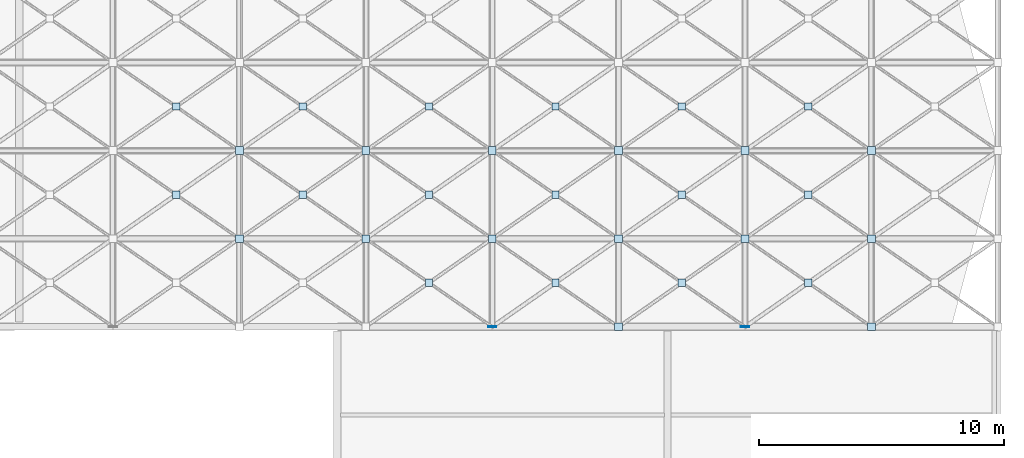
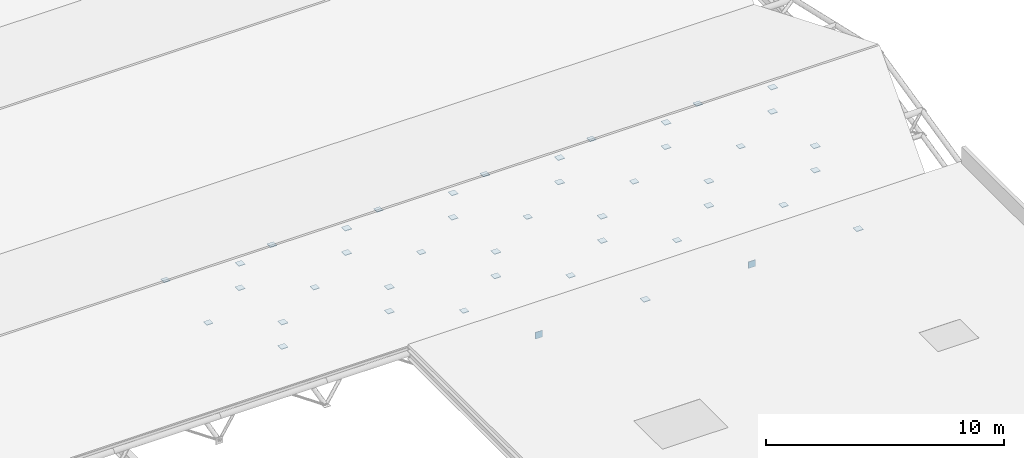
# One storey, part 93 of 110: 44 plates.
"""IFC4 building model written with IfcOpenShell, lengths in metres."""

from ifc_helpers import new_model, si_unit, direction, frame, origin, origin_2d, place, context, subcontext, project, spatial, rectangle, extrude, material, layer, layer_set, type_object, element, save


model = new_model("IFC4")

# Units and contexts
model_context = context("Model", 3, precision=1e-05, world=origin(), true_north=direction((0.0, 1.0)))
body_context = subcontext(model_context, "Body", "Model", "MODEL_VIEW")
ifc_project = project(units=[si_unit("LENGTHUNIT", "METRE"), si_unit("AREAUNIT", "SQUARE_METRE"), si_unit("VOLUMEUNIT", "CUBIC_METRE"), si_unit("PLANEANGLEUNIT", "RADIAN"), si_unit("MASSUNIT", "GRAM", prefix="KILO")], contexts=[model_context])

# Site, building, storey
site_placement = place(None, origin())
site = spatial("IfcSite", under=ifc_project, at=site_placement, CompositionType="ELEMENT")
building_placement = place(site_placement, origin())
building = spatial("IfcBuilding", under=site, at=building_placement, Name="Tamarisk Ironworks Central Station", CompositionType="ELEMENT")
storey_placement = place(building_placement, frame((0.0, 0.0, 17.39990234375)))
storey = spatial("IfcBuildingStorey", under=building, at=storey_placement, Name="L03", CompositionType="ELEMENT", Elevation=17.39990234375)

# Plates
ifc_material_1 = material(Name="Painted structural steel S355J2", Category="steel")
ifc_layer_1 = layer(ifc_material_1, 0.01611328125)
ifc_layer_set_1 = layer_set([ifc_layer_1], Name="Painted structural steel S355J2")
plate_type_1 = type_object("IfcPlateType", Name="PL-EC16", PredefinedType="SHEET", material=ifc_layer_set_1)
for number, where, z_axis, x_axis, name in (
    (1, (159.333251953125, 21.60009765625, -1.89013671875), (0.0, 0.0, 1.0), (1.0, 0.0, 0.0), "Hollow section welded end-cap plate 43"),
    (2, (169.666748046875, 21.60009765625, -1.89013671875), (0.0, 0.0, 1.0), (1.0, 0.0, 0.0), "Hollow section welded end-cap plate 44"),
):
    element("IfcPlate", number, at=place(storey_placement, frame(where, z_axis=z_axis, x_axis=x_axis)), inside=storey, type_object=plate_type_1, Name=name, PredefinedType="SHEET", context=body_context, shape_type="SweptSolid", body=[
        extrude(rectangle(XDim=0.340087890625, YDim=0.02392578125, at=origin_2d()), origin(), (0.0, 0.0, 1.0), 0.340087890625),
    ])
ifc_material_2 = material(Name="Structural steel S355J2H", Category="steel")
ifc_layer_2 = layer(ifc_material_2, 0.02587890625)
ifc_layer_set_2 = layer_set([ifc_layer_2], Name="Structural steel S355J2H")
plate_type_2 = type_object("IfcPlateType", Name="PL-ND26", PredefinedType="SHEET", material=ifc_layer_set_2)
plate_1_placement = place(storey_placement, frame((149.0, 25.199951171875, 0.342041015625), z_axis=(0.0, 0.0, 1.0), x_axis=(1.0, 0.0, 0.0)))
element("IfcPlate", 3, at=plate_1_placement, inside=storey, type_object=plate_type_2, Name="Space-frame collector node plate 0575", PredefinedType="SHEET", context=body_context, shape_type="SweptSolid", body=[
    extrude(rectangle(XDim=0.320068359375, YDim=0.320068359375, at=origin_2d()), origin(), (0.0, 0.0, 1.0), 0.02587890625),
])
plate_2_placement = place(storey_placement, frame((146.416748046875, 27.0, 0.129638671875), z_axis=(0.0, 0.0, 1.0), x_axis=(1.0, 0.0, 0.0)))
element("IfcPlate", 4, at=plate_2_placement, inside=storey, type_object=plate_type_2, Name="Space-frame X-brace crossing gusset plate 0576", PredefinedType="SHEET", context=body_context, shape_type="SweptSolid", body=[
    extrude(rectangle(XDim=0.300048828125, YDim=0.300048828125, at=origin_2d()), origin(), (0.0, 0.0, 1.0), 0.02587890625),
])
for number, where, z_axis, x_axis, name in (
    (5, (149.0, 25.199951171875, -0.907958984375), (0.0, 0.0, 1.0), (1.0, 0.0, 0.0), "Space-frame collector node plate 0577"),
    (6, (149.0, 28.800048828125, 1.167236328125), (0.0, 0.0, 1.0), (1.0, 0.0, 0.0), "Space-frame collector node plate 0578"),
):
    element("IfcPlate", number, at=place(storey_placement, frame(where, z_axis=z_axis, x_axis=x_axis)), inside=storey, type_object=plate_type_2, Name=name, PredefinedType="SHEET", context=body_context, shape_type="SweptSolid", body=[
        extrude(rectangle(XDim=0.320068359375, YDim=0.320068359375, at=origin_2d()), origin(), (0.0, 0.0, 1.0), 0.02587890625),
    ])
plate_3_placement = place(storey_placement, frame((146.416748046875, 30.60009765625, 0.129638671875), z_axis=(0.0, 0.0, 1.0), x_axis=(1.0, 0.0, 0.0)))
element("IfcPlate", 7, at=plate_3_placement, inside=storey, type_object=plate_type_2, Name="Space-frame X-brace crossing gusset plate 0579", PredefinedType="SHEET", context=body_context, shape_type="SweptSolid", body=[
    extrude(rectangle(XDim=0.300048828125, YDim=0.300048828125, at=origin_2d()), origin(), (0.0, 0.0, 1.0), 0.02587890625),
])
for number, where, z_axis, x_axis, name in (
    (8, (149.0, 28.800048828125, -0.082763671875), (0.0, 0.0, 1.0), (1.0, 0.0, 0.0), "Space-frame collector node plate 0580"),
    (9, (154.166748046875, 25.199951171875, 0.342041015625), (0.0, 0.0, 1.0), (1.0, 0.0, 0.0), "Space-frame collector node plate 0587"),
):
    element("IfcPlate", number, at=place(storey_placement, frame(where, z_axis=z_axis, x_axis=x_axis)), inside=storey, type_object=plate_type_2, Name=name, PredefinedType="SHEET", context=body_context, shape_type="SweptSolid", body=[
        extrude(rectangle(XDim=0.320068359375, YDim=0.320068359375, at=origin_2d()), origin(), (0.0, 0.0, 1.0), 0.02587890625),
    ])
plate_4_placement = place(storey_placement, frame((151.583251953125, 27.0, 0.129638671875), z_axis=(0.0, 0.0, 1.0), x_axis=(1.0, 0.0, 0.0)))
element("IfcPlate", 10, at=plate_4_placement, inside=storey, type_object=plate_type_2, Name="Space-frame X-brace crossing gusset plate 0588", PredefinedType="SHEET", context=body_context, shape_type="SweptSolid", body=[
    extrude(rectangle(XDim=0.300048828125, YDim=0.300048828125, at=origin_2d()), origin(), (0.0, 0.0, 1.0), 0.02587890625),
])
for number, where, z_axis, x_axis, name in (
    (11, (154.166748046875, 25.199951171875, -0.907958984375), (0.0, 0.0, 1.0), (1.0, 0.0, 0.0), "Space-frame collector node plate 0589"),
    (12, (154.166748046875, 28.800048828125, 1.167236328125), (0.0, 0.0, 1.0), (1.0, 0.0, 0.0), "Space-frame collector node plate 0590"),
):
    element("IfcPlate", number, at=place(storey_placement, frame(where, z_axis=z_axis, x_axis=x_axis)), inside=storey, type_object=plate_type_2, Name=name, PredefinedType="SHEET", context=body_context, shape_type="SweptSolid", body=[
        extrude(rectangle(XDim=0.320068359375, YDim=0.320068359375, at=origin_2d()), origin(), (0.0, 0.0, 1.0), 0.02587890625),
    ])
plate_5_placement = place(storey_placement, frame((151.583251953125, 30.60009765625, 0.129638671875), z_axis=(0.0, 0.0, 1.0), x_axis=(1.0, 0.0, 0.0)))
element("IfcPlate", 13, at=plate_5_placement, inside=storey, type_object=plate_type_2, Name="Space-frame X-brace crossing gusset plate 0591", PredefinedType="SHEET", context=body_context, shape_type="SweptSolid", body=[
    extrude(rectangle(XDim=0.300048828125, YDim=0.300048828125, at=origin_2d()), origin(), (0.0, 0.0, 1.0), 0.02587890625),
])
plate_6_placement = place(storey_placement, frame((154.166748046875, 28.800048828125, -0.082763671875), z_axis=(0.0, 0.0, 1.0), x_axis=(1.0, 0.0, 0.0)))
element("IfcPlate", 14, at=plate_6_placement, inside=storey, type_object=plate_type_2, Name="Space-frame collector node plate 0592", PredefinedType="SHEET", context=body_context, shape_type="SweptSolid", body=[
    extrude(rectangle(XDim=0.320068359375, YDim=0.320068359375, at=origin_2d()), origin(), (0.0, 0.0, 1.0), 0.02587890625),
])
plate_7_placement = place(storey_placement, frame((156.75, 23.39990234375, -0.6953125), z_axis=(0.0, 0.0, 1.0), x_axis=(1.0, 0.0, 0.0)))
element("IfcPlate", 15, at=plate_7_placement, inside=storey, type_object=plate_type_2, Name="Space-frame X-brace crossing gusset plate 0597", PredefinedType="SHEET", context=body_context, shape_type="SweptSolid", body=[
    extrude(rectangle(XDim=0.300048828125, YDim=0.300048828125, at=origin_2d()), origin(), (0.0, 0.0, 1.0), 0.02587890625),
])
plate_8_placement = place(storey_placement, frame((159.333251953125, 25.199951171875, 0.342041015625), z_axis=(0.0, 0.0, 1.0), x_axis=(1.0, 0.0, 0.0)))
element("IfcPlate", 16, at=plate_8_placement, inside=storey, type_object=plate_type_2, Name="Space-frame collector node plate 0598", PredefinedType="SHEET", context=body_context, shape_type="SweptSolid", body=[
    extrude(rectangle(XDim=0.320068359375, YDim=0.320068359375, at=origin_2d()), origin(), (0.0, 0.0, 1.0), 0.02587890625),
])
plate_9_placement = place(storey_placement, frame((156.75, 27.0, 0.129638671875), z_axis=(0.0, 0.0, 1.0), x_axis=(1.0, 0.0, 0.0)))
element("IfcPlate", 17, at=plate_9_placement, inside=storey, type_object=plate_type_2, Name="Space-frame X-brace crossing gusset plate 0599", PredefinedType="SHEET", context=body_context, shape_type="SweptSolid", body=[
    extrude(rectangle(XDim=0.300048828125, YDim=0.300048828125, at=origin_2d()), origin(), (0.0, 0.0, 1.0), 0.02587890625),
])
for number, where, z_axis, x_axis, name in (
    (18, (159.333251953125, 25.199951171875, -0.907958984375), (0.0, 0.0, 1.0), (1.0, 0.0, 0.0), "Space-frame collector node plate 0600"),
    (19, (159.333251953125, 28.800048828125, 1.167236328125), (0.0, 0.0, 1.0), (1.0, 0.0, 0.0), "Space-frame collector node plate 0601"),
):
    element("IfcPlate", number, at=place(storey_placement, frame(where, z_axis=z_axis, x_axis=x_axis)), inside=storey, type_object=plate_type_2, Name=name, PredefinedType="SHEET", context=body_context, shape_type="SweptSolid", body=[
        extrude(rectangle(XDim=0.320068359375, YDim=0.320068359375, at=origin_2d()), origin(), (0.0, 0.0, 1.0), 0.02587890625),
    ])
plate_10_placement = place(storey_placement, frame((156.75, 30.60009765625, 0.129638671875), z_axis=(0.0, 0.0, 1.0), x_axis=(1.0, 0.0, 0.0)))
element("IfcPlate", 20, at=plate_10_placement, inside=storey, type_object=plate_type_2, Name="Space-frame X-brace crossing gusset plate 0602", PredefinedType="SHEET", context=body_context, shape_type="SweptSolid", body=[
    extrude(rectangle(XDim=0.300048828125, YDim=0.300048828125, at=origin_2d()), origin(), (0.0, 0.0, 1.0), 0.02587890625),
])
plate_11_placement = place(storey_placement, frame((159.333251953125, 28.800048828125, -0.082763671875), z_axis=(0.0, 0.0, 1.0), x_axis=(1.0, 0.0, 0.0)))
element("IfcPlate", 21, at=plate_11_placement, inside=storey, type_object=plate_type_2, Name="Space-frame collector node plate 0603", PredefinedType="SHEET", context=body_context, shape_type="SweptSolid", body=[
    extrude(rectangle(XDim=0.320068359375, YDim=0.320068359375, at=origin_2d()), origin(), (0.0, 0.0, 1.0), 0.02587890625),
])
plate_12_placement = place(storey_placement, frame((161.916748046875, 23.39990234375, -0.6953125), z_axis=(0.0, 0.0, 1.0), x_axis=(1.0, 0.0, 0.0)))
element("IfcPlate", 22, at=plate_12_placement, inside=storey, type_object=plate_type_2, Name="Space-frame X-brace crossing gusset plate 0608", PredefinedType="SHEET", context=body_context, shape_type="SweptSolid", body=[
    extrude(rectangle(XDim=0.300048828125, YDim=0.300048828125, at=origin_2d()), origin(), (0.0, 0.0, 1.0), 0.02587890625),
])
for number, where, z_axis, x_axis, name in (
    (23, (164.5, 21.60009765625, -1.73291015625), (0.0, 0.0, 1.0), (1.0, 0.0, 0.0), "Space-frame collector node plate 0609"),
    (24, (164.5, 25.199951171875, 0.342041015625), (0.0, 0.0, 1.0), (1.0, 0.0, 0.0), "Space-frame collector node plate 0610"),
):
    element("IfcPlate", number, at=place(storey_placement, frame(where, z_axis=z_axis, x_axis=x_axis)), inside=storey, type_object=plate_type_2, Name=name, PredefinedType="SHEET", context=body_context, shape_type="SweptSolid", body=[
        extrude(rectangle(XDim=0.320068359375, YDim=0.320068359375, at=origin_2d()), origin(), (0.0, 0.0, 1.0), 0.02587890625),
    ])
plate_13_placement = place(storey_placement, frame((161.916748046875, 27.0, 0.129638671875), z_axis=(0.0, 0.0, 1.0), x_axis=(1.0, 0.0, 0.0)))
element("IfcPlate", 25, at=plate_13_placement, inside=storey, type_object=plate_type_2, Name="Space-frame X-brace crossing gusset plate 0611", PredefinedType="SHEET", context=body_context, shape_type="SweptSolid", body=[
    extrude(rectangle(XDim=0.300048828125, YDim=0.300048828125, at=origin_2d()), origin(), (0.0, 0.0, 1.0), 0.02587890625),
])
for number, where, z_axis, x_axis, name in (
    (26, (164.5, 25.199951171875, -0.907958984375), (0.0, 0.0, 1.0), (1.0, 0.0, 0.0), "Space-frame collector node plate 0612"),
    (27, (164.5, 28.800048828125, 1.167236328125), (0.0, 0.0, 1.0), (1.0, 0.0, 0.0), "Space-frame collector node plate 0613"),
):
    element("IfcPlate", number, at=place(storey_placement, frame(where, z_axis=z_axis, x_axis=x_axis)), inside=storey, type_object=plate_type_2, Name=name, PredefinedType="SHEET", context=body_context, shape_type="SweptSolid", body=[
        extrude(rectangle(XDim=0.320068359375, YDim=0.320068359375, at=origin_2d()), origin(), (0.0, 0.0, 1.0), 0.02587890625),
    ])
plate_14_placement = place(storey_placement, frame((161.916748046875, 30.60009765625, 0.129638671875), z_axis=(0.0, 0.0, 1.0), x_axis=(1.0, 0.0, 0.0)))
element("IfcPlate", 28, at=plate_14_placement, inside=storey, type_object=plate_type_2, Name="Space-frame X-brace crossing gusset plate 0614", PredefinedType="SHEET", context=body_context, shape_type="SweptSolid", body=[
    extrude(rectangle(XDim=0.300048828125, YDim=0.300048828125, at=origin_2d()), origin(), (0.0, 0.0, 1.0), 0.02587890625),
])
plate_15_placement = place(storey_placement, frame((164.5, 28.800048828125, -0.082763671875), z_axis=(0.0, 0.0, 1.0), x_axis=(1.0, 0.0, 0.0)))
element("IfcPlate", 29, at=plate_15_placement, inside=storey, type_object=plate_type_2, Name="Space-frame collector node plate 0615", PredefinedType="SHEET", context=body_context, shape_type="SweptSolid", body=[
    extrude(rectangle(XDim=0.320068359375, YDim=0.320068359375, at=origin_2d()), origin(), (0.0, 0.0, 1.0), 0.02587890625),
])
plate_16_placement = place(storey_placement, frame((167.083251953125, 23.39990234375, -0.6953125), z_axis=(0.0, 0.0, 1.0), x_axis=(1.0, 0.0, 0.0)))
element("IfcPlate", 30, at=plate_16_placement, inside=storey, type_object=plate_type_2, Name="Space-frame X-brace crossing gusset plate 0620", PredefinedType="SHEET", context=body_context, shape_type="SweptSolid", body=[
    extrude(rectangle(XDim=0.300048828125, YDim=0.300048828125, at=origin_2d()), origin(), (0.0, 0.0, 1.0), 0.02587890625),
])
plate_17_placement = place(storey_placement, frame((169.666748046875, 25.199951171875, 0.342041015625), z_axis=(0.0, 0.0, 1.0), x_axis=(1.0, 0.0, 0.0)))
element("IfcPlate", 31, at=plate_17_placement, inside=storey, type_object=plate_type_2, Name="Space-frame collector node plate 0621", PredefinedType="SHEET", context=body_context, shape_type="SweptSolid", body=[
    extrude(rectangle(XDim=0.320068359375, YDim=0.320068359375, at=origin_2d()), origin(), (0.0, 0.0, 1.0), 0.02587890625),
])
plate_18_placement = place(storey_placement, frame((167.083251953125, 27.0, 0.129638671875), z_axis=(0.0, 0.0, 1.0), x_axis=(1.0, 0.0, 0.0)))
element("IfcPlate", 32, at=plate_18_placement, inside=storey, type_object=plate_type_2, Name="Space-frame X-brace crossing gusset plate 0622", PredefinedType="SHEET", context=body_context, shape_type="SweptSolid", body=[
    extrude(rectangle(XDim=0.300048828125, YDim=0.300048828125, at=origin_2d()), origin(), (0.0, 0.0, 1.0), 0.02587890625),
])
for number, where, z_axis, x_axis, name in (
    (33, (169.666748046875, 25.199951171875, -0.907958984375), (0.0, 0.0, 1.0), (1.0, 0.0, 0.0), "Space-frame collector node plate 0623"),
    (34, (169.666748046875, 28.800048828125, 1.167236328125), (0.0, 0.0, 1.0), (1.0, 0.0, 0.0), "Space-frame collector node plate 0624"),
):
    element("IfcPlate", number, at=place(storey_placement, frame(where, z_axis=z_axis, x_axis=x_axis)), inside=storey, type_object=plate_type_2, Name=name, PredefinedType="SHEET", context=body_context, shape_type="SweptSolid", body=[
        extrude(rectangle(XDim=0.320068359375, YDim=0.320068359375, at=origin_2d()), origin(), (0.0, 0.0, 1.0), 0.02587890625),
    ])
plate_19_placement = place(storey_placement, frame((167.083251953125, 30.60009765625, 0.129638671875), z_axis=(0.0, 0.0, 1.0), x_axis=(1.0, 0.0, 0.0)))
element("IfcPlate", 35, at=plate_19_placement, inside=storey, type_object=plate_type_2, Name="Space-frame X-brace crossing gusset plate 0625", PredefinedType="SHEET", context=body_context, shape_type="SweptSolid", body=[
    extrude(rectangle(XDim=0.300048828125, YDim=0.300048828125, at=origin_2d()), origin(), (0.0, 0.0, 1.0), 0.02587890625),
])
plate_20_placement = place(storey_placement, frame((169.666748046875, 28.800048828125, -0.082763671875), z_axis=(0.0, 0.0, 1.0), x_axis=(1.0, 0.0, 0.0)))
element("IfcPlate", 36, at=plate_20_placement, inside=storey, type_object=plate_type_2, Name="Space-frame collector node plate 0626", PredefinedType="SHEET", context=body_context, shape_type="SweptSolid", body=[
    extrude(rectangle(XDim=0.320068359375, YDim=0.320068359375, at=origin_2d()), origin(), (0.0, 0.0, 1.0), 0.02587890625),
])
plate_21_placement = place(storey_placement, frame((172.25, 23.39990234375, -0.6953125), z_axis=(0.0, 0.0, 1.0), x_axis=(1.0, 0.0, 0.0)))
element("IfcPlate", 37, at=plate_21_placement, inside=storey, type_object=plate_type_2, Name="Space-frame X-brace crossing gusset plate 0631", PredefinedType="SHEET", context=body_context, shape_type="SweptSolid", body=[
    extrude(rectangle(XDim=0.300048828125, YDim=0.300048828125, at=origin_2d()), origin(), (0.0, 0.0, 1.0), 0.02587890625),
])
for number, where, z_axis, x_axis, name in (
    (38, (174.833251953125, 21.60009765625, -1.73291015625), (0.0, 0.0, 1.0), (1.0, 0.0, 0.0), "Space-frame collector node plate 0632"),
    (39, (174.833251953125, 25.199951171875, 0.342041015625), (0.0, 0.0, 1.0), (1.0, 0.0, 0.0), "Space-frame collector node plate 0633"),
):
    element("IfcPlate", number, at=place(storey_placement, frame(where, z_axis=z_axis, x_axis=x_axis)), inside=storey, type_object=plate_type_2, Name=name, PredefinedType="SHEET", context=body_context, shape_type="SweptSolid", body=[
        extrude(rectangle(XDim=0.320068359375, YDim=0.320068359375, at=origin_2d()), origin(), (0.0, 0.0, 1.0), 0.02587890625),
    ])
plate_22_placement = place(storey_placement, frame((172.25, 27.0, 0.129638671875), z_axis=(0.0, 0.0, 1.0), x_axis=(1.0, 0.0, 0.0)))
element("IfcPlate", 40, at=plate_22_placement, inside=storey, type_object=plate_type_2, Name="Space-frame X-brace crossing gusset plate 0634", PredefinedType="SHEET", context=body_context, shape_type="SweptSolid", body=[
    extrude(rectangle(XDim=0.300048828125, YDim=0.300048828125, at=origin_2d()), origin(), (0.0, 0.0, 1.0), 0.02587890625),
])
for number, where, z_axis, x_axis, name in (
    (41, (174.833251953125, 25.199951171875, -0.907958984375), (0.0, 0.0, 1.0), (1.0, 0.0, 0.0), "Space-frame collector node plate 0635"),
    (42, (174.833251953125, 28.800048828125, 1.167236328125), (0.0, 0.0, 1.0), (1.0, 0.0, 0.0), "Space-frame collector node plate 0636"),
):
    element("IfcPlate", number, at=place(storey_placement, frame(where, z_axis=z_axis, x_axis=x_axis)), inside=storey, type_object=plate_type_2, Name=name, PredefinedType="SHEET", context=body_context, shape_type="SweptSolid", body=[
        extrude(rectangle(XDim=0.320068359375, YDim=0.320068359375, at=origin_2d()), origin(), (0.0, 0.0, 1.0), 0.02587890625),
    ])
plate_23_placement = place(storey_placement, frame((172.25, 30.60009765625, 0.129638671875), z_axis=(0.0, 0.0, 1.0), x_axis=(1.0, 0.0, 0.0)))
element("IfcPlate", 43, at=plate_23_placement, inside=storey, type_object=plate_type_2, Name="Space-frame X-brace crossing gusset plate 0637", PredefinedType="SHEET", context=body_context, shape_type="SweptSolid", body=[
    extrude(rectangle(XDim=0.300048828125, YDim=0.300048828125, at=origin_2d()), origin(), (0.0, 0.0, 1.0), 0.02587890625),
])
plate_24_placement = place(storey_placement, frame((174.833251953125, 28.800048828125, -0.082763671875), z_axis=(0.0, 0.0, 1.0), x_axis=(1.0, 0.0, 0.0)))
element("IfcPlate", 44, at=plate_24_placement, inside=storey, type_object=plate_type_2, Name="Space-frame collector node plate 0638", PredefinedType="SHEET", context=body_context, shape_type="SweptSolid", body=[
    extrude(rectangle(XDim=0.320068359375, YDim=0.320068359375, at=origin_2d()), origin(), (0.0, 0.0, 1.0), 0.02587890625),
])

save(model, "model.ifc")
